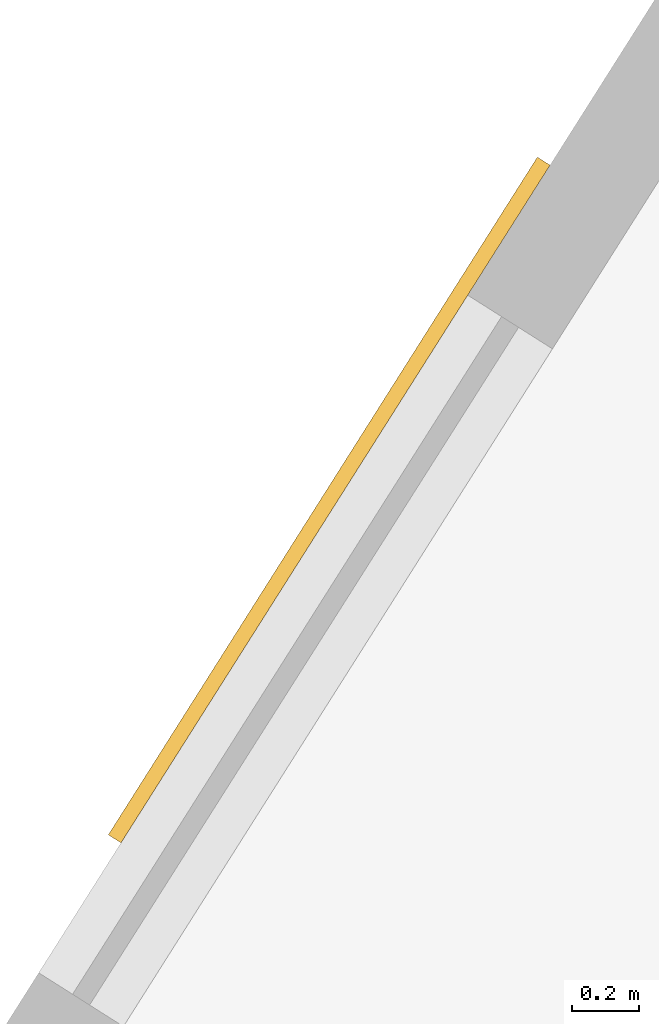
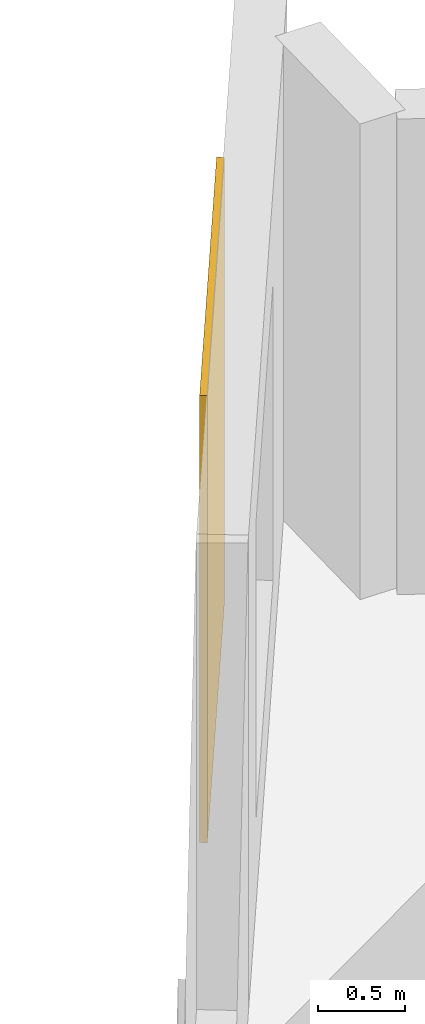
# One storey, part 11 of 11: 1 covering.
"""IFC4 building model written with IfcOpenShell, lengths in metres."""

import ifcopenshell
import ifcopenshell.guid

model = None  # the IFC model being written
_history = None  # IfcOwnerHistory: only IFC2X3 demands one
_inside = {}  # id of a spatial element -> (the spatial element, [elements in it])
_under = {}  # id of a project, library or spatial element -> (it, [spatial elements below it])
_declared = {}  # id of a project -> (the project, [libraries it declares])
_typed = {}  # id of a type object -> (the type object, [elements of that type])
_made_of = {}  # id of a material, layer set ... -> (it, [elements and type objects made of it])


def new_model(schema):
    """Start an empty IFC model of exactly this schema.

    Asked for "IFC4X3", IfcOpenShell would pick the latest addendum, in which some entities
    have other attributes; the version numbers below select the first issue.
    IFC2X3 requires an IfcOwnerHistory on every rooted entity: one is made here for all.
    """
    global model, _history
    if schema == "IFC4X3":
        model = ifcopenshell.file(schema_version=(4, 3, 0, 0))
    else:
        model = ifcopenshell.file(schema=schema)
    _inside.clear()
    _under.clear()
    _declared.clear()
    _typed.clear()
    _made_of.clear()
    _history = None
    if model.schema == "IFC2X3":
        org = make("IfcOrganization", Name="unknown")
        user = make(
            "IfcPersonAndOrganization",
            ThePerson=make("IfcPerson", FamilyName="unknown"),
            TheOrganization=org,
        )
        app = make(
            "IfcApplication",
            ApplicationDeveloper=org,
            Version="unknown",
            ApplicationFullName="unknown",
            ApplicationIdentifier="unknown",
        )
        _history = make(
            "IfcOwnerHistory",
            OwningUser=user,
            OwningApplication=app,
            ChangeAction="ADDED",
            CreationDate=0,
        )
    return model


def make(cls, **values):
    """One entity of the class cls with the attributes given. An attribute that is None is left unset."""
    return model.create_entity(
        cls, **{name: value for name, value in values.items() if value is not None}
    )


def rooted(cls, **values):
    """An entity with a GlobalId (a new one), such as an element, a storey or a relation."""
    return make(cls, GlobalId=ifcopenshell.guid.new(), OwnerHistory=_history, **values)


def si_unit(unit_type, name, prefix=None):
    """IfcSIUnit, for example si_unit("LENGTHUNIT", "METRE", prefix="MILLI")."""
    return make("IfcSIUnit", UnitType=unit_type, Prefix=prefix, Name=name)


def assignment(units):
    """IfcUnitAssignment: the units of a project."""
    return None if units is None else make("IfcUnitAssignment", Units=units)


def point(xyz):
    """IfcCartesianPoint."""
    return None if xyz is None else make("IfcCartesianPoint", Coordinates=xyz)


def direction(xyz):
    """IfcDirection."""
    return None if xyz is None else make("IfcDirection", DirectionRatios=xyz)


def frame(location, z_axis=None, x_axis=None):
    """IfcAxis2Placement3D, a coordinate frame: its origin and axes. An axis left out is left unset."""
    return make(
        "IfcAxis2Placement3D",
        Location=point(location),
        Axis=direction(z_axis),
        RefDirection=direction(x_axis),
    )


def frame_2d(location, x_axis=None):
    """IfcAxis2Placement2D, a coordinate frame in the plane: its origin and x axis."""
    return make(
        "IfcAxis2Placement2D", Location=point(location), RefDirection=direction(x_axis)
    )


def origin():
    """The frame at (0, 0, 0) with its axes left unset."""
    return frame((0.0, 0.0, 0.0))


def origin_2d():
    """The frame at (0, 0) in the plane with its x axis left unset."""
    return frame_2d((0.0, 0.0))


def place(relative_to, where):
    """IfcLocalPlacement: puts the frame where relative to a parent placement (None: the world)."""
    return make(
        "IfcLocalPlacement", PlacementRelTo=relative_to, RelativePlacement=where
    )


def context(
    kind, dimensions, precision=None, world=None, true_north=None, identifier=None
):
    """IfcGeometricRepresentationContext, for example the 3D "Model" context."""
    return make(
        "IfcGeometricRepresentationContext",
        ContextIdentifier=identifier,
        ContextType=kind,
        CoordinateSpaceDimension=dimensions,
        Precision=precision,
        WorldCoordinateSystem=world,
        TrueNorth=true_north,
    )


def subcontext(parent, identifier, kind, view, scale=None):
    """IfcGeometricRepresentationSubContext, for example "Body" below "Model"."""
    return make(
        "IfcGeometricRepresentationSubContext",
        ContextIdentifier=identifier,
        ContextType=kind,
        ParentContext=parent,
        TargetScale=scale,
        TargetView=view,
    )


def project(units=None, contexts=None):
    """IfcProject with its units and contexts."""
    return rooted(
        "IfcProject",
        Name="project",
        RepresentationContexts=contexts,
        UnitsInContext=assignment(units),
    )


def spatial(cls, under=None, at=None, **own):
    """A site, building, storey or space (cls), placed at a placement, below another one or the project."""
    s = rooted(cls, ObjectPlacement=at, **own)
    if under is not None:
        _under.setdefault(under.id(), (under, []))[1].append(s)
    return s


def profile(cls, at=None, kind="AREA", **sizes):
    """A parametric profile (cls). Its sizes go by their IFC names, for example OverallWidth=200.0."""
    return make(cls, ProfileType=kind, Position=at, **sizes)


def rectangle(**sizes):
    """IfcRectangleProfileDef."""
    return profile("IfcRectangleProfileDef", **sizes)


def extrude(swept, where, along, depth):
    """IfcExtrudedAreaSolid: the profile swept, set in the frame where, extruded along a direction by depth."""
    return make(
        "IfcExtrudedAreaSolid",
        SweptArea=swept,
        Position=where,
        ExtrudedDirection=direction(along),
        Depth=depth,
    )


def shape(context_of_items, identifier, shape_type, items):
    """IfcShapeRepresentation: the items that make up one representation, for example the "Body"."""
    return make(
        "IfcShapeRepresentation",
        ContextOfItems=context_of_items,
        RepresentationIdentifier=identifier,
        RepresentationType=shape_type,
        Items=items,
    )


def material(Name=None, Category=None):
    """IfcMaterial."""
    return make("IfcMaterial", Name=Name, Category=Category)


def layer(
    of_material, thickness, ventilated=None, Name=None, Category=None, Priority=None
):
    """IfcMaterialLayer: one layer of a wall or slab, of a material (None: an air gap)."""
    return make(
        "IfcMaterialLayer",
        Material=of_material,
        LayerThickness=thickness,
        IsVentilated=ventilated,
        Name=Name,
        Category=Category,
        Priority=Priority,
    )


def layer_set(layers, Name=None):
    """IfcMaterialLayerSet."""
    return make("IfcMaterialLayerSet", MaterialLayers=layers, LayerSetName=Name)


def made_of(thing, what):
    """Note that an element or type object is made of a material, layer set ...; save() writes the relation."""
    if what is not None:
        _made_of.setdefault(what.id(), (what, []))[1].append(thing)
    return thing


def type_object(cls, material=None, **own):
    """A type object (cls), such as IfcWallType, which elements share."""
    return made_of(rooted(cls, **own), material)


def element(
    cls,
    number,
    at=None,
    inside=None,
    cuts=None,
    type_object=None,
    material=None,
    context=None,
    identifier="Body",
    shape_type=None,
    held_by="IfcProductDefinitionShape",
    body=None,
    shapes=None,
    **own,
):
    """One element of the class cls, such as IfcWall. Its Tag is "e" and its number.

    at: its placement. inside: the storey or other place that contains it. cuts: it is an
    opening in that element (IfcRelVoidsElement). A single representation is given by context,
    identifier, shape_type and body (its items); several are given by shapes. held_by: the class
    of the entity that holds the representations. save() writes the other relations.
    """
    e = rooted(cls, Tag="e%d" % number, ObjectPlacement=at, **own)
    if body is not None:
        shapes = [shape(context, identifier, shape_type, body)]
    if shapes is not None:
        e.Representation = make(held_by, Representations=shapes)
    if inside is not None:
        _inside.setdefault(inside.id(), (inside, []))[1].append(e)
    if cuts is not None:
        rooted(
            "IfcRelVoidsElement", RelatingBuildingElement=cuts, RelatedOpeningElement=e
        )
    if type_object is not None:
        _typed.setdefault(type_object.id(), (type_object, []))[1].append(e)
    return made_of(e, material)


def aggregate(whole, parts):
    """IfcRelAggregates: a whole, such as a stair, and the parts it consists of."""
    return rooted("IfcRelAggregates", RelatingObject=whole, RelatedObjects=parts)


def save(model, path):
    """Write the relations noted so far, then the file.

    IfcRelAggregates (storeys below a building ...), IfcRelContainedInSpatialStructure (elements
    in a storey), IfcRelDefinesByType, IfcRelAssociatesMaterial and IfcRelDeclares: one each for
    every whole, place, type object, material and project.
    """
    for whole, parts in _under.values():
        aggregate(whole, parts)
    for where, things in _inside.values():
        rooted(
            "IfcRelContainedInSpatialStructure",
            RelatedElements=things,
            RelatingStructure=where,
        )
    for kind, things in _typed.values():
        rooted("IfcRelDefinesByType", RelatedObjects=things, RelatingType=kind)
    for what, things in _made_of.values():
        rooted("IfcRelAssociatesMaterial", RelatedObjects=things, RelatingMaterial=what)
    for by, libraries in _declared.values():
        rooted("IfcRelDeclares", RelatingContext=by, RelatedDefinitions=libraries)
    model.write(path)


model = new_model("IFC4")

# Units and contexts
model_context = context("Model", 3, precision=1e-05, world=origin(), true_north=direction((0.0, 1.0)))
body_context = subcontext(model_context, "Body", "Model", "MODEL_VIEW")
ifc_project = project(units=[si_unit("LENGTHUNIT", "METRE"), si_unit("AREAUNIT", "SQUARE_METRE"), si_unit("VOLUMEUNIT", "CUBIC_METRE"), si_unit("PLANEANGLEUNIT", "RADIAN"), si_unit("MASSUNIT", "GRAM", prefix="KILO")], contexts=[model_context])

# Site, building, storey
site_placement = place(None, origin())
site = spatial("IfcSite", under=ifc_project, at=site_placement, CompositionType="ELEMENT")
building_placement = place(site_placement, origin())
building = spatial("IfcBuilding", under=site, at=building_placement, Name="Almagre Mirador Tower", CompositionType="ELEMENT")
storey_placement = place(building_placement, frame((0.0, 0.0, 124.800048828125)))
storey = spatial("IfcBuildingStorey", under=building, at=storey_placement, Name="L31", CompositionType="ELEMENT", Elevation=124.800048828125)

# Covering
ifc_material = material(Name="Almagre terracotta architectural cladding", Category="masonry")
ifc_layer = layer(ifc_material, 0.044921875)
ifc_layer_set = layer_set([ifc_layer], Name="Almagre terracotta architectural cladding")
covering_type = type_object("IfcCoveringType", Name="COV-CLAD-ALMAGRE", PredefinedType="CLADDING", material=ifc_layer_set)
covering_placement = place(storey_placement, frame((33.4521484375, 39.801025390625, 0.10009765625), z_axis=(0.0, 0.0, 1.0), x_axis=(0.534898084209, 0.844916587309, 0.0)))
element("IfcCovering", 1, at=covering_placement, inside=storey, type_object=covering_type, Name="L31 almagre terracotta pier cladding", PredefinedType="CLADDING", context=body_context, shape_type="SweptSolid", body=[
    extrude(rectangle(XDim=2.39990234375, YDim=0.044921875, at=origin_2d()), origin(), (0.0, 0.0, 1.0), 3.14990234375),
])

save(model, "model.ifc")
